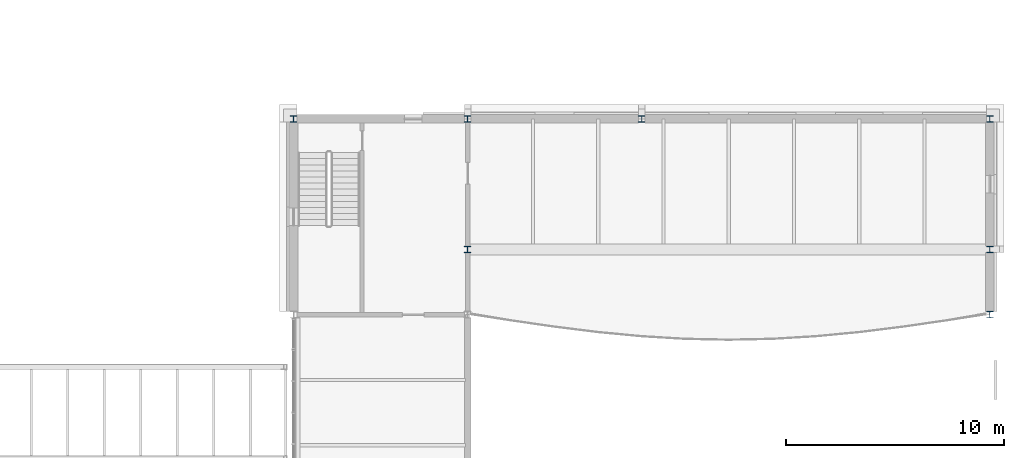
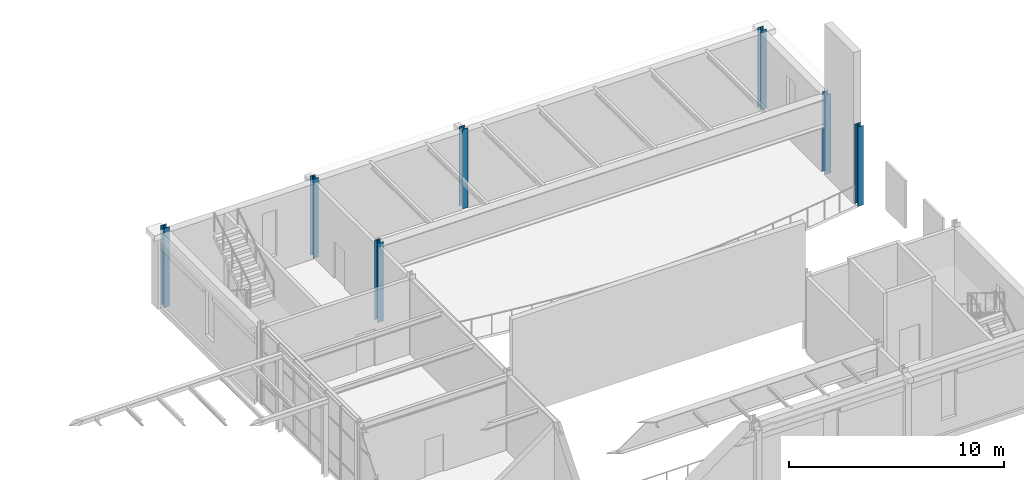
# One storey, part 15 of 153: 7 columns.
"""IFC4 building model written with IfcOpenShell, lengths in metres."""

from ifc_helpers import new_model, si_unit, direction, frame, origin, origin_2d, place, context, subcontext, project, spatial, i_section, extrude, material, material_profile, profile_set, type_object, element, save


model = new_model("IFC4")

# Units and contexts
model_context = context("Model", 3, precision=1e-05, world=origin(), true_north=direction((0.0, 1.0)))
body_context = subcontext(model_context, "Body", "Model", "MODEL_VIEW")
ifc_project = project(units=[si_unit("LENGTHUNIT", "METRE"), si_unit("AREAUNIT", "SQUARE_METRE"), si_unit("VOLUMEUNIT", "CUBIC_METRE"), si_unit("PLANEANGLEUNIT", "RADIAN"), si_unit("MASSUNIT", "GRAM", prefix="KILO")], contexts=[model_context])

# Site, building, storey
site_placement = place(None, origin())
site = spatial("IfcSite", under=ifc_project, at=site_placement, CompositionType="ELEMENT")
building_placement = place(site_placement, origin())
building = spatial("IfcBuilding", under=site, at=building_placement, Name="Kallimachos Central Library", CompositionType="ELEMENT")
storey_placement = place(building_placement, frame((0.0, 0.0, 5.39990234375)))
storey = spatial("IfcBuildingStorey", under=building, at=storey_placement, Name="L01", CompositionType="ELEMENT", Elevation=5.39990234375)

# Columns
ifc_material = material(Name="Steel S355J2", Category="steel")
ifc_material_profile = material_profile(ifc_material, i_section(OverallWidth=0.300048828125, OverallDepth=0.300048828125, WebThickness=0.010986328125, FlangeThickness=0.01904296875, FilletRadius=0.027099609375, at=origin_2d()), Name="HEB 300")
ifc_profile_set = profile_set([ifc_material_profile], Name="Steel S355J2")
column_type = type_object("IfcColumnType", Name="HEB 300 column", PredefinedType="COLUMN", material=ifc_profile_set)
for number, where, z_axis, x_axis, name in (
    (1, (170.0, 105.0, 0.0), (0.0, 0.0, 1.0), (1.0, 0.0, 0.0), "V3-COL-L01-006"),
    (2, (138.0, 114.0, 0.0), (0.0, 0.0, 1.0), (1.0, 0.0, 0.0), "V3-COL-L01-007"),
    (3, (170.0, 114.0, 0.0), (0.0, 0.0, 1.0), (1.0, 0.0, 0.0), "V3-COL-L01-008"),
    (4, (146.0, 108.0, 0.0), (0.0, 0.0, 1.0), (1.0, 0.0, 0.0), "V3-COL-L01-012"),
    (5, (146.0, 114.0, 0.0), (0.0, 0.0, 1.0), (1.0, 0.0, 0.0), "V3-COL-L01-014"),
    (6, (154.0, 114.0, 0.0), (0.0, 0.0, 1.0), (1.0, 0.0, 0.0), "V3-COL-L01-019"),
    (7, (170.0, 108.0, 0.0), (0.0, 0.0, 1.0), (1.0, 0.0, 0.0), "V3-COL-L01-020"),
):
    element("IfcColumn", number, at=place(storey_placement, frame(where, z_axis=z_axis, x_axis=x_axis)), inside=storey, type_object=column_type, Name=name, PredefinedType="COLUMN", context=body_context, shape_type="SweptSolid", body=[
        extrude(i_section(OverallWidth=0.300048828125, OverallDepth=0.300048828125, WebThickness=0.010986328125, FlangeThickness=0.01904296875, FilletRadius=0.027099609375, at=origin_2d()), origin(), (0.0, 0.0, 1.0), 4.5),
    ])

save(model, "model.ifc")
